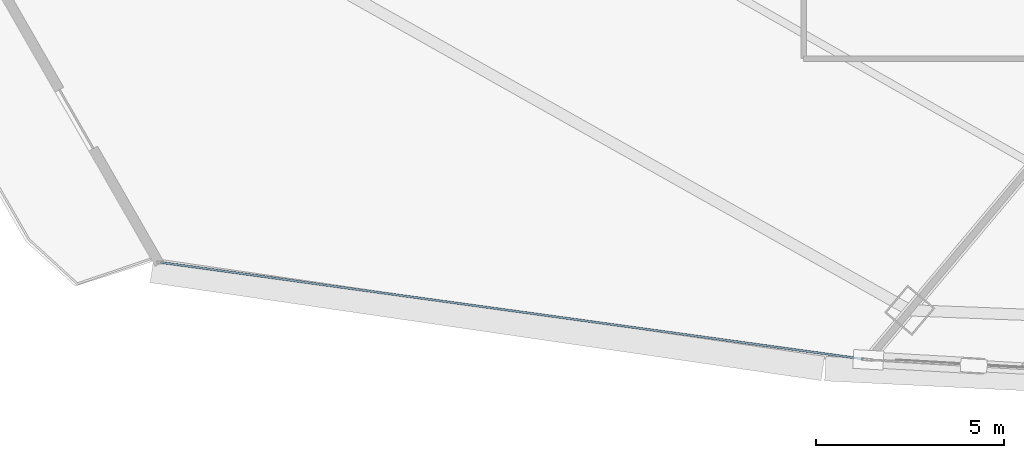
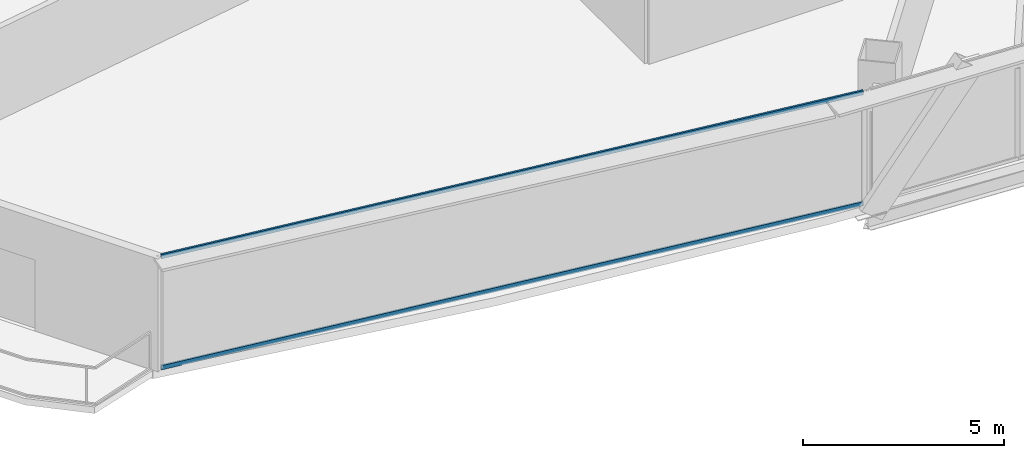
# One storey, part 3 of 39: 2 members, 1 element without a shape of its own.
"""IFC4 building model written with IfcOpenShell, lengths in metres."""

from ifc_helpers import new_model, si_unit, direction, frame, origin, origin_2d, place, context, subcontext, project, spatial, hollow_rectangle, extrude, source, transform, mapped, material, layer, layer_set, material_profile, profile_set, type_object, element, aggregate, save


model = new_model("IFC4")

# Units and contexts
model_context = context("Model", 3, precision=1e-05, world=origin(), true_north=direction((0.0, 1.0)))
body_context = subcontext(model_context, "Body", "Model", "MODEL_VIEW")
ifc_project = project(units=[si_unit("LENGTHUNIT", "METRE"), si_unit("AREAUNIT", "SQUARE_METRE"), si_unit("VOLUMEUNIT", "CUBIC_METRE"), si_unit("PLANEANGLEUNIT", "RADIAN"), si_unit("MASSUNIT", "GRAM", prefix="KILO"), si_unit("THERMODYNAMICTEMPERATUREUNIT", "KELVIN"), si_unit("POWERUNIT", "WATT")], contexts=[model_context])

# Site, building, storey
site_placement = place(None, origin())
site = spatial("IfcSite", under=ifc_project, at=site_placement, CompositionType="ELEMENT")
building_placement = place(site_placement, origin())
building = spatial("IfcBuilding", under=site, at=building_placement, Name="Yunzhuo Pagoda Commons", CompositionType="ELEMENT")
storey_placement = place(building_placement, frame((0.0, 0.0, 144.550048828125)))
storey = spatial("IfcBuildingStorey", under=building, at=storey_placement, Name="L36", CompositionType="ELEMENT", Elevation=144.550048828125)

# Curtain wall, members
ifc_material = material(Name="Anodized aluminium 6063-T6", Category="aluminium")
ifc_layer = layer(ifc_material, 0.14990234375)
ifc_layer_set = layer_set([ifc_layer], Name="Anodized aluminium 6063-T6")
curtain_wall_type = type_object("IfcCurtainWallType", Name="CW-MID Mid-Zone Ribbon Curtain Wall", PredefinedType="NOTDEFINED", material=ifc_layer_set)
curtain_wall_placement = place(storey_placement, origin())
curtain_wall = element("IfcCurtainWall", 1, at=curtain_wall_placement, inside=storey, type_object=curtain_wall_type, Name="L36 curtain wall CW-L36-F1B1", PredefinedType="NOTDEFINED")
ifc_material_profile = material_profile(ifc_material, hollow_rectangle(XDim=0.054931640625, YDim=0.1298828125, WallThickness=0.00341796875, at=origin_2d()), Name="Anodized aluminium 6063-T6")
ifc_profile_set = profile_set([ifc_material_profile], Name="Anodized aluminium 6063-T6")
member_type = type_object("IfcMemberType", Name="CW-MID-T Transom RHS 130x55x3.5", PredefinedType="USERDEFINED", material=ifc_profile_set)
shared_shape = source(origin(), body_context, "Body", "SweptSolid", [
    extrude(hollow_rectangle(XDim=0.054931640625, YDim=0.1298828125, WallThickness=0.00341796875, at=origin_2d()), origin(), (0.0, 0.0, 1.0), 18.8115234375),
])
member_1_placement = place(storey_placement, frame((12.54443359375, 16.395751953125, 0.02734375), z_axis=(0.99067870849, -0.136219295783, 0.0), x_axis=(0.136219295783, 0.99067870849, 0.0)))
member_1 = element("IfcMember", 2, at=member_1_placement, type_object=member_type, Name="CW transom 1.1", ObjectType="TRANSOM", PredefinedType="USERDEFINED", context=body_context, shape_type="MappedRepresentation", body=[
    mapped(shared_shape, transform((0.0, 0.0, 0.0), scale=1.0)),
])
member_2_placement = place(storey_placement, frame((12.54443359375, 16.395751953125, 3.392333984375), z_axis=(0.99067870849, -0.136219295783, 0.0), x_axis=(0.136219295783, 0.99067870849, 0.0)))
member_2 = element("IfcMember", 3, at=member_2_placement, type_object=member_type, Name="CW transom 1.2", ObjectType="TRANSOM", PredefinedType="USERDEFINED", context=body_context, shape_type="MappedRepresentation", body=[
    mapped(shared_shape, transform((0.0, 0.0, 0.0), scale=1.0)),
])
aggregate(curtain_wall, [member_1, member_2])

save(model, "model.ifc")
